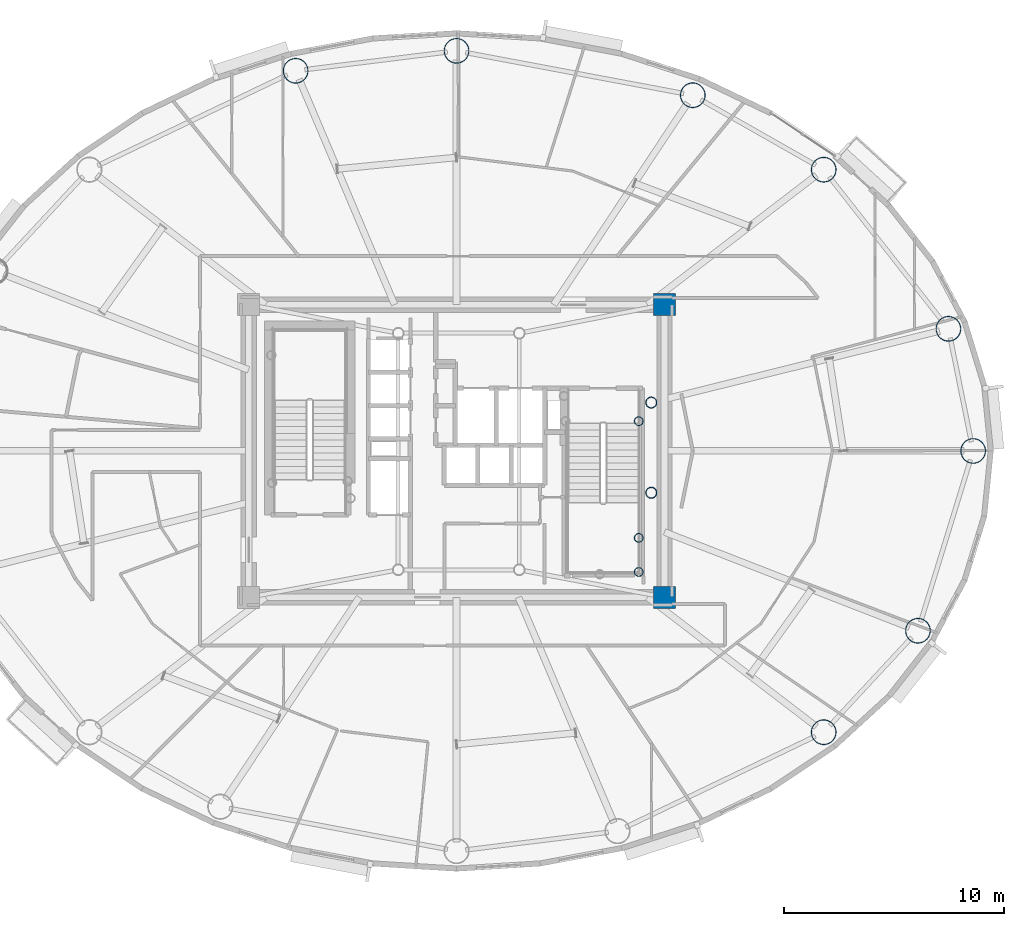
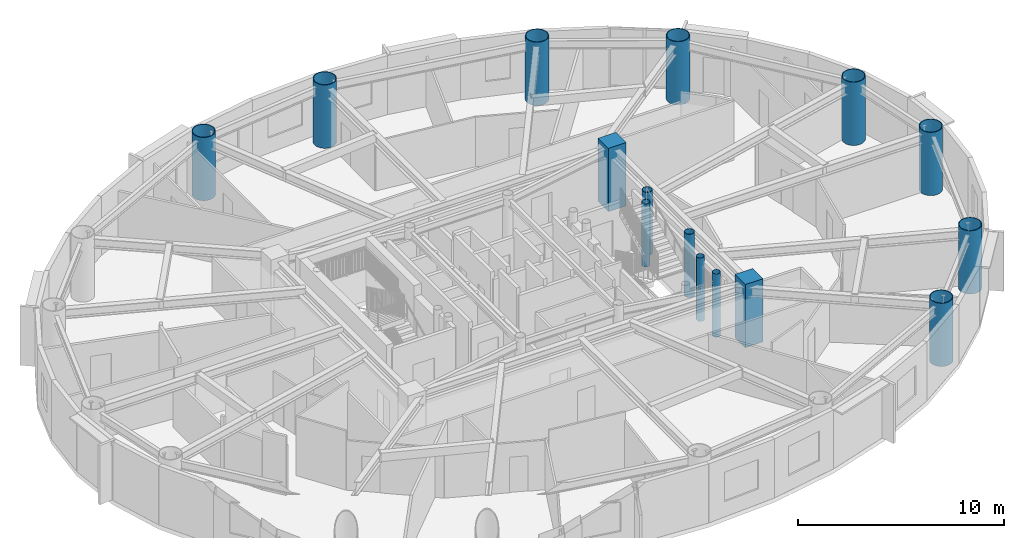
# One storey, part 2 of 19: 15 columns.
"""IFC4 building model written with IfcOpenShell, lengths in metres."""

from ifc_helpers import new_model, si_unit, direction, frame, origin, origin_2d, place, context, subcontext, project, spatial, rectangle, hollow_circle, extrude, material, material_profile, profile_set, type_object, element, save


model = new_model("IFC4")

# Units and contexts
model_context = context("Model", 3, precision=1e-05, world=origin(), true_north=direction((0.0, 1.0)))
body_context = subcontext(model_context, "Body", "Model", "MODEL_VIEW")
ifc_project = project(units=[si_unit("LENGTHUNIT", "METRE"), si_unit("AREAUNIT", "SQUARE_METRE"), si_unit("VOLUMEUNIT", "CUBIC_METRE"), si_unit("PLANEANGLEUNIT", "RADIAN"), si_unit("MASSUNIT", "GRAM", prefix="KILO")], contexts=[model_context])

# Site, building, storey
site_placement = place(None, origin())
site = spatial("IfcSite", under=ifc_project, at=site_placement, CompositionType="ELEMENT")
building_placement = place(site_placement, origin())
building = spatial("IfcBuilding", under=site, at=building_placement, Name="Linh Dai School and Residence Tower", CompositionType="ELEMENT")
storey_placement = place(building_placement, frame((0.0, 0.0, 247.800048828125)))
storey = spatial("IfcBuildingStorey", under=building, at=storey_placement, Name="L61", CompositionType="ELEMENT", Elevation=247.800048828125)

# Columns
ifc_material_1 = material(Name="Concrete B45 (C35/45)", Category="concrete")
ifc_material_profile_1 = material_profile(ifc_material_1, rectangle(XDim=1.0, YDim=1.0, at=origin_2d()), Name="RC 1000x1000")
ifc_profile_set_1 = profile_set([ifc_material_profile_1], Name="Concrete B45 (C35/45)")
column_type_1 = type_object("IfcColumnType", Name="COL-CC3", PredefinedType="COLUMN", material=ifc_profile_set_1)
for number, where, z_axis, x_axis, name in (
    (1, (45.449951171875, 20.35009765625, 0.0), (0.0, 0.0, 1.0), (1.0, 0.0, 0.0), "L61 Core Corner Pier CC2"),
    (2, (45.449951171875, 33.64990234375, 0.0), (0.0, 0.0, 1.0), (1.0, 0.0, 0.0), "L61 Core Corner Pier CC3"),
):
    element("IfcColumn", number, at=place(storey_placement, frame(where, z_axis=z_axis, x_axis=x_axis)), inside=storey, type_object=column_type_1, Name=name, PredefinedType="COLUMN", context=body_context, shape_type="SweptSolid", body=[
        extrude(rectangle(XDim=1.0, YDim=1.0, at=origin_2d()), origin(), (0.0, 0.0, 1.0), 3.75),
    ])
ifc_material_2 = material(Name="Structural Steel S355JR", Category="steel")
ifc_material_profile_2 = material_profile(ifc_material_2, hollow_circle(Radius=0.203125, WallThickness=0.01611328125, at=origin_2d()), Name="CHS 406.4x16")
ifc_profile_set_2 = profile_set([ifc_material_profile_2], Name="Structural Steel S355JR")
column_type_2 = type_object("IfcColumnType", Name="COL-EC", PredefinedType="COLUMN", material=ifc_profile_set_2)
for number, where, z_axis, x_axis, name in (
    (3, (44.280029296875, 21.5, 0.0), (0.0, 0.0, 1.0), (1.0, 0.0, 0.0), "L61 Stair Shaft Landing Support Pier ST2SE"),
    (4, (44.280029296875, 23.050048828125, 0.0), (0.0, 0.0, 1.0), (1.0, 0.0, 0.0), "L61 Stair Shaft Landing Support Pier ST2NE"),
    (5, (44.280029296875, 28.35009765625, 0.0), (0.0, 0.0, 1.0), (1.0, 0.0, 0.0), "L61 Stair Shaft Landing Support Pier ST2N2"),
):
    element("IfcColumn", number, at=place(storey_placement, frame(where, z_axis=z_axis, x_axis=x_axis)), inside=storey, type_object=column_type_2, Name=name, PredefinedType="COLUMN", context=body_context, shape_type="SweptSolid", body=[
        extrude(hollow_circle(Radius=0.203125, WallThickness=0.01611328125, at=origin_2d()), origin(), (0.0, 0.0, 1.0), 3.75),
    ])
ifc_material_profile_3 = material_profile(ifc_material_2, hollow_circle(Radius=0.574951171875, WallThickness=0.035888671875, at=origin_2d()), Name="CHS 1150x36")
ifc_profile_set_3 = profile_set([ifc_material_profile_3], Name="Structural Steel S355JR")
column_type_3 = type_object("IfcColumnType", Name="COL-MC5", PredefinedType="COLUMN", material=ifc_profile_set_3)
for number, where, z_axis, x_axis, name in (
    (6, (59.47509765625, 27.0, 0.0), (0.0, 0.0, 1.0), (1.0, 0.0, 0.0), "L61 Perimeter CFT Mega-Column MC01"),
    (7, (58.351318359375, 32.54931640625, 0.0), (0.0, 0.0, 1.0), (1.0, 0.0, 0.0), "L61 Perimeter CFT Mega-Column MC02"),
    (8, (52.68310546875, 39.781005859375, 0.0), (0.0, 0.0, 1.0), (1.0, 0.0, 0.0), "L61 Perimeter CFT Mega-Column MC03"),
    (9, (46.734619140625, 43.16357421875, 0.0), (0.0, 0.0, 1.0), (1.0, 0.0, 0.0), "L61 Perimeter CFT Mega-Column MC04"),
    (10, (36.0, 45.179931640625, 0.0), (0.0, 0.0, 1.0), (1.0, 0.0, 0.0), "L61 Perimeter CFT Mega-Column MC05"),
    (11, (28.68798828125, 44.2734375, 0.0), (0.0, 0.0, 1.0), (1.0, 0.0, 0.0), "L61 Perimeter CFT Mega-Column MC06"),
    (12, (52.68310546875, 14.218994140625, 0.0), (0.0, 0.0, 1.0), (1.0, 0.0, 0.0), "L61 Perimeter CFT Mega-Column MC15"),
    (13, (56.96533203125, 18.8310546875, 0.0), (0.0, 0.0, 1.0), (1.0, 0.0, 0.0), "L61 Perimeter CFT Mega-Column MC16"),
):
    element("IfcColumn", number, at=place(storey_placement, frame(where, z_axis=z_axis, x_axis=x_axis)), inside=storey, type_object=column_type_3, Name=name, PredefinedType="COLUMN", context=body_context, shape_type="SweptSolid", body=[
        extrude(hollow_circle(Radius=0.574951171875, WallThickness=0.035888671875, at=origin_2d()), origin(), (0.0, 0.0, 1.0), 3.75),
    ])
ifc_material_profile_4 = material_profile(ifc_material_2, hollow_circle(Radius=0.25390625, WallThickness=0.02001953125, at=origin_2d()), Name="CHS 508x20")
ifc_profile_set_4 = profile_set([ifc_material_profile_4], Name="Structural Steel S355JR")
column_type_4 = type_object("IfcColumnType", Name="COL-MCP", PredefinedType="COLUMN", material=ifc_profile_set_4)
for number, where, z_axis, x_axis, name in (
    (14, (44.85009765625, 25.10009765625, 0.0), (0.0, 0.0, 1.0), (1.0, 0.0, 0.0), "L61 Sky-Lounge Core Anchor Pier S"),
    (15, (44.85009765625, 29.199951171875, 0.0), (0.0, 0.0, 1.0), (1.0, 0.0, 0.0), "L61 Sky-Lounge Core Anchor Pier N"),
):
    element("IfcColumn", number, at=place(storey_placement, frame(where, z_axis=z_axis, x_axis=x_axis)), inside=storey, type_object=column_type_4, Name=name, PredefinedType="COLUMN", context=body_context, shape_type="SweptSolid", body=[
        extrude(hollow_circle(Radius=0.25390625, WallThickness=0.02001953125, at=origin_2d()), origin(), (0.0, 0.0, 1.0), 3.75),
    ])

save(model, "model.ifc")
